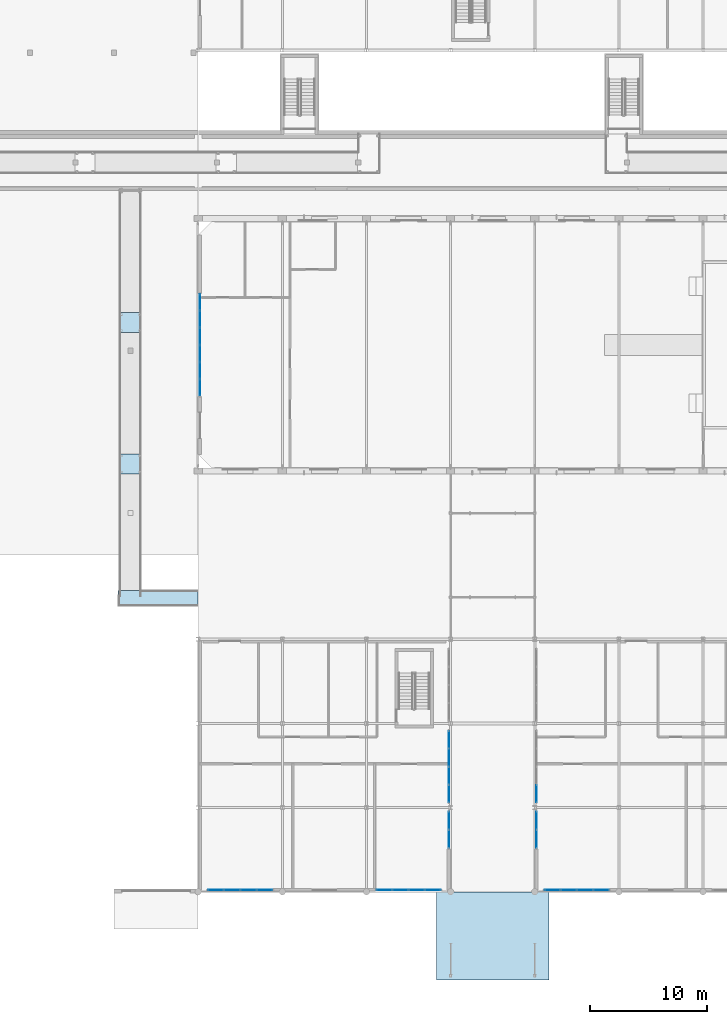
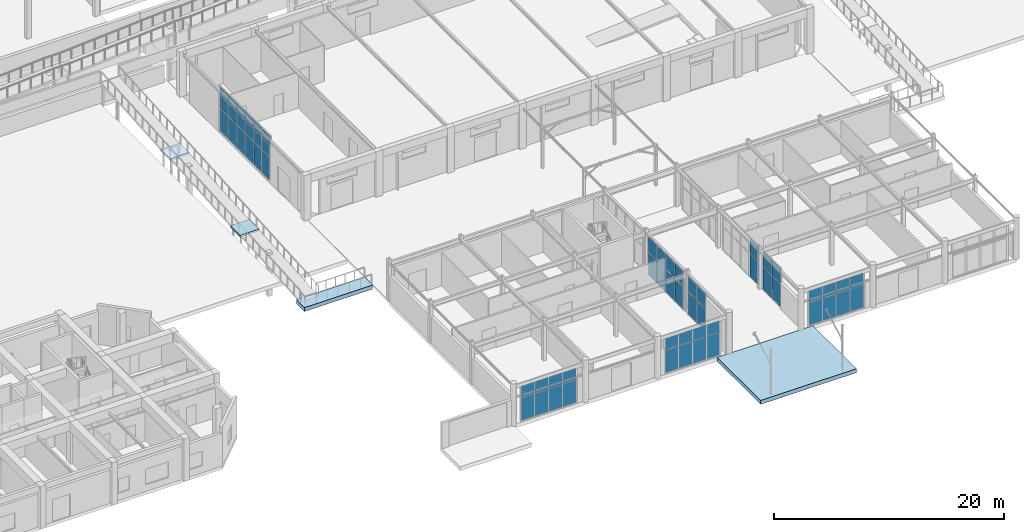
# One storey, part 33 of 85: 60 plates, 4 slabs, 9 elements without a shape of their own.
"""IFC4 building model written with IfcOpenShell, lengths in metres."""

from ifc_helpers import new_model, si_unit, direction, frame, origin, origin_2d, place, context, subcontext, project, spatial, polyline, rectangle, outline, extrude, material, layer, layer_set, type_object, element, aggregate, save


model = new_model("IFC4")

# Units and contexts
model_context = context("Model", 3, precision=1e-05, world=origin(), true_north=direction((0.0, 1.0)))
body_context = subcontext(model_context, "Body", "Model", "MODEL_VIEW")
ifc_project = project(units=[si_unit("LENGTHUNIT", "METRE"), si_unit("AREAUNIT", "SQUARE_METRE"), si_unit("VOLUMEUNIT", "CUBIC_METRE"), si_unit("PLANEANGLEUNIT", "RADIAN"), si_unit("MASSUNIT", "GRAM", prefix="KILO")], contexts=[model_context])

# Site, building, storey
site_placement = place(None, origin())
site = spatial("IfcSite", under=ifc_project, at=site_placement, CompositionType="ELEMENT")
building_placement = place(site_placement, origin())
building = spatial("IfcBuilding", under=site, at=building_placement, Name="Ochrevale Crest", CompositionType="ELEMENT")
storey_placement = place(building_placement, origin())
storey = spatial("IfcBuildingStorey", under=building, at=storey_placement, Name="L00", CompositionType="ELEMENT", Elevation=0.0)

# Curtain wall, plates
ifc_material_1 = material(Name="Anodised aluminium 6063-T5", Category="aluminium")
ifc_layer_1 = layer(ifc_material_1, 0.14990234375)
ifc_layer_set_1 = layer_set([ifc_layer_1], Name="Anodised aluminium 6063-T5")
curtain_wall_type_1 = type_object("IfcCurtainWallType", Name="CW-PAS-320x410", PredefinedType="NOTDEFINED", material=ifc_layer_set_1)
curtain_wall_1_placement = place(storey_placement, origin())
curtain_wall_1 = element("IfcCurtainWall", 1, at=curtain_wall_1_placement, inside=storey, type_object=curtain_wall_type_1, Name="Covered public passage W shopfront glazing 1", PredefinedType="NOTDEFINED")
ifc_material_2 = material(Name="Double-glazed low-E insulated glass unit", Category="glass")
ifc_layer_2 = layer(ifc_material_2, 0.028076171875)
ifc_layer_set_2 = layer_set([ifc_layer_2], Name="Double-glazed low-E insulated glass unit")
plate_type_1 = type_object("IfcPlateType", Name="CW-PNL-IGU28", PredefinedType="CURTAIN_PANEL", material=ifc_layer_set_2)
plate_1_placement = place(storey_placement, frame((79.050048828125, 11.71630859375, 0.06005859375), z_axis=(0.0, 0.0, 1.0), x_axis=(0.0, 1.0, 0.0)))
plate_1 = element("IfcPlate", 2, at=plate_1_placement, type_object=plate_type_1, Name="CW04 panel 1.1", PredefinedType="CURTAIN_PANEL", context=body_context, shape_type="SweptSolid", body=[
    extrude(rectangle(XDim=1.50244140625, YDim=0.028076171875, at=origin_2d()), origin(), (0.0, 0.0, 1.0), 2.409912109375),
])
plate_2_placement = place(storey_placement, frame((79.050048828125, 11.71630859375, 2.530029296875), z_axis=(0.0, 0.0, 1.0), x_axis=(0.0, 1.0, 0.0)))
plate_2 = element("IfcPlate", 3, at=plate_2_placement, type_object=plate_type_1, Name="CW04 panel 1.2", PredefinedType="CURTAIN_PANEL", context=body_context, shape_type="SweptSolid", body=[
    extrude(rectangle(XDim=1.50244140625, YDim=0.028076171875, at=origin_2d()), origin(), (0.0, 0.0, 1.0), 1.56005859375),
])
plate_3_placement = place(storey_placement, frame((79.050048828125, 13.28369140625, 0.06005859375), z_axis=(0.0, 0.0, 1.0), x_axis=(0.0, 1.0, 0.0)))
plate_3 = element("IfcPlate", 4, at=plate_3_placement, type_object=plate_type_1, Name="CW04 panel 2.1", PredefinedType="CURTAIN_PANEL", context=body_context, shape_type="SweptSolid", body=[
    extrude(rectangle(XDim=1.50244140625, YDim=0.028076171875, at=origin_2d()), origin(), (0.0, 0.0, 1.0), 2.409912109375),
])
plate_4_placement = place(storey_placement, frame((79.050048828125, 13.28369140625, 2.530029296875), z_axis=(0.0, 0.0, 1.0), x_axis=(0.0, 1.0, 0.0)))
plate_4 = element("IfcPlate", 5, at=plate_4_placement, type_object=plate_type_1, Name="CW04 panel 2.2", PredefinedType="CURTAIN_PANEL", context=body_context, shape_type="SweptSolid", body=[
    extrude(rectangle(XDim=1.50244140625, YDim=0.028076171875, at=origin_2d()), origin(), (0.0, 0.0, 1.0), 1.56005859375),
])
aggregate(curtain_wall_1, [plate_1, plate_2, plate_3, plate_4])

ifc_layer_3 = layer(ifc_material_1, 0.14990234375)
ifc_layer_set_3 = layer_set([ifc_layer_3], Name="Anodised aluminium 6063-T5")
curtain_wall_type_2 = type_object("IfcCurtainWallType", Name="CW-PAS-620x410", PredefinedType="NOTDEFINED", material=ifc_layer_set_3)
curtain_wall_2_placement = place(storey_placement, origin())
curtain_wall_2 = element("IfcCurtainWall", 6, at=curtain_wall_2_placement, inside=storey, type_object=curtain_wall_type_2, Name="Covered public passage W shopfront glazing 2", PredefinedType="NOTDEFINED")
plate_5_placement = place(storey_placement, frame((79.050048828125, 15.59130859375, 0.06005859375), z_axis=(0.0, 0.0, 1.0), x_axis=(0.0, 1.0, 0.0)))
plate_5 = element("IfcPlate", 7, at=plate_5_placement, type_object=plate_type_1, Name="CW05 panel 1.1", PredefinedType="CURTAIN_PANEL", context=body_context, shape_type="SweptSolid", body=[
    extrude(rectangle(XDim=1.452392578125, YDim=0.028076171875, at=origin_2d()), origin(), (0.0, 0.0, 1.0), 2.409912109375),
])
plate_6_placement = place(storey_placement, frame((79.050048828125, 15.59130859375, 2.530029296875), z_axis=(0.0, 0.0, 1.0), x_axis=(0.0, 1.0, 0.0)))
plate_6 = element("IfcPlate", 8, at=plate_6_placement, type_object=plate_type_1, Name="CW05 panel 1.2", PredefinedType="CURTAIN_PANEL", context=body_context, shape_type="SweptSolid", body=[
    extrude(rectangle(XDim=1.452392578125, YDim=0.028076171875, at=origin_2d()), origin(), (0.0, 0.0, 1.0), 1.56005859375),
])
plate_7_placement = place(storey_placement, frame((79.050048828125, 17.125, 0.06005859375), z_axis=(0.0, 0.0, 1.0), x_axis=(0.0, 1.0, 0.0)))
plate_7 = element("IfcPlate", 9, at=plate_7_placement, type_object=plate_type_1, Name="CW05 panel 2.1", PredefinedType="CURTAIN_PANEL", context=body_context, shape_type="SweptSolid", body=[
    extrude(rectangle(XDim=1.485107421875, YDim=0.028076171875, at=origin_2d()), origin(), (0.0, 0.0, 1.0), 2.409912109375),
])
plate_8_placement = place(storey_placement, frame((79.050048828125, 17.125, 2.530029296875), z_axis=(0.0, 0.0, 1.0), x_axis=(0.0, 1.0, 0.0)))
plate_8 = element("IfcPlate", 10, at=plate_8_placement, type_object=plate_type_1, Name="CW05 panel 2.2", PredefinedType="CURTAIN_PANEL", context=body_context, shape_type="SweptSolid", body=[
    extrude(rectangle(XDim=1.485107421875, YDim=0.028076171875, at=origin_2d()), origin(), (0.0, 0.0, 1.0), 1.56005859375),
])
plate_9_placement = place(storey_placement, frame((79.050048828125, 18.675048828125, 0.06005859375), z_axis=(0.0, 0.0, 1.0), x_axis=(0.0, 1.0, 0.0)))
plate_9 = element("IfcPlate", 11, at=plate_9_placement, type_object=plate_type_1, Name="CW05 panel 3.1", PredefinedType="CURTAIN_PANEL", context=body_context, shape_type="SweptSolid", body=[
    extrude(rectangle(XDim=1.485107421875, YDim=0.028076171875, at=origin_2d()), origin(), (0.0, 0.0, 1.0), 2.409912109375),
])
plate_10_placement = place(storey_placement, frame((79.050048828125, 18.675048828125, 2.530029296875), z_axis=(0.0, 0.0, 1.0), x_axis=(0.0, 1.0, 0.0)))
plate_10 = element("IfcPlate", 12, at=plate_10_placement, type_object=plate_type_1, Name="CW05 panel 3.2", PredefinedType="CURTAIN_PANEL", context=body_context, shape_type="SweptSolid", body=[
    extrude(rectangle(XDim=1.485107421875, YDim=0.028076171875, at=origin_2d()), origin(), (0.0, 0.0, 1.0), 1.56005859375),
])
plate_11_placement = place(storey_placement, frame((79.050048828125, 20.208740234375, 0.06005859375), z_axis=(0.0, 0.0, 1.0), x_axis=(0.0, 1.0, 0.0)))
plate_11 = element("IfcPlate", 13, at=plate_11_placement, type_object=plate_type_1, Name="CW05 panel 4.1", PredefinedType="CURTAIN_PANEL", context=body_context, shape_type="SweptSolid", body=[
    extrude(rectangle(XDim=1.452392578125, YDim=0.028076171875, at=origin_2d()), origin(), (0.0, 0.0, 1.0), 2.409912109375),
])
plate_12_placement = place(storey_placement, frame((79.050048828125, 20.208740234375, 2.530029296875), z_axis=(0.0, 0.0, 1.0), x_axis=(0.0, 1.0, 0.0)))
plate_12 = element("IfcPlate", 14, at=plate_12_placement, type_object=plate_type_1, Name="CW05 panel 4.2", PredefinedType="CURTAIN_PANEL", context=body_context, shape_type="SweptSolid", body=[
    extrude(rectangle(XDim=1.452392578125, YDim=0.028076171875, at=origin_2d()), origin(), (0.0, 0.0, 1.0), 1.56005859375),
])
aggregate(curtain_wall_2, [plate_5, plate_6, plate_7, plate_8, plate_9, plate_10, plate_11, plate_12])

curtain_wall_3_placement = place(storey_placement, origin())
curtain_wall_3 = element("IfcCurtainWall", 15, at=curtain_wall_3_placement, inside=storey, type_object=curtain_wall_type_1, Name="Covered public passage E shopfront glazing 1", PredefinedType="NOTDEFINED")
plate_13_placement = place(storey_placement, frame((86.550048828125, 11.71630859375, 0.06005859375), z_axis=(0.0, 0.0, 1.0), x_axis=(0.0, 1.0, 0.0)))
plate_13 = element("IfcPlate", 16, at=plate_13_placement, type_object=plate_type_1, Name="CW04 panel 1.1", PredefinedType="CURTAIN_PANEL", context=body_context, shape_type="SweptSolid", body=[
    extrude(rectangle(XDim=1.50244140625, YDim=0.028076171875, at=origin_2d()), origin(), (0.0, 0.0, 1.0), 2.409912109375),
])
plate_14_placement = place(storey_placement, frame((86.550048828125, 11.71630859375, 2.530029296875), z_axis=(0.0, 0.0, 1.0), x_axis=(0.0, 1.0, 0.0)))
plate_14 = element("IfcPlate", 17, at=plate_14_placement, type_object=plate_type_1, Name="CW04 panel 1.2", PredefinedType="CURTAIN_PANEL", context=body_context, shape_type="SweptSolid", body=[
    extrude(rectangle(XDim=1.50244140625, YDim=0.028076171875, at=origin_2d()), origin(), (0.0, 0.0, 1.0), 1.56005859375),
])
plate_15_placement = place(storey_placement, frame((86.550048828125, 13.28369140625, 0.06005859375), z_axis=(0.0, 0.0, 1.0), x_axis=(0.0, 1.0, 0.0)))
plate_15 = element("IfcPlate", 18, at=plate_15_placement, type_object=plate_type_1, Name="CW04 panel 2.1", PredefinedType="CURTAIN_PANEL", context=body_context, shape_type="SweptSolid", body=[
    extrude(rectangle(XDim=1.50244140625, YDim=0.028076171875, at=origin_2d()), origin(), (0.0, 0.0, 1.0), 2.409912109375),
])
plate_16_placement = place(storey_placement, frame((86.550048828125, 13.28369140625, 2.530029296875), z_axis=(0.0, 0.0, 1.0), x_axis=(0.0, 1.0, 0.0)))
plate_16 = element("IfcPlate", 19, at=plate_16_placement, type_object=plate_type_1, Name="CW04 panel 2.2", PredefinedType="CURTAIN_PANEL", context=body_context, shape_type="SweptSolid", body=[
    extrude(rectangle(XDim=1.50244140625, YDim=0.028076171875, at=origin_2d()), origin(), (0.0, 0.0, 1.0), 1.56005859375),
])
aggregate(curtain_wall_3, [plate_13, plate_14, plate_15, plate_16])

curtain_wall_4_placement = place(storey_placement, origin())
curtain_wall_4 = element("IfcCurtainWall", 20, at=curtain_wall_4_placement, inside=storey, type_object=curtain_wall_type_2, Name="Covered public passage E shopfront glazing 2", PredefinedType="NOTDEFINED")
plate_17_placement = place(storey_placement, frame((86.550048828125, 15.59130859375, 0.06005859375), z_axis=(0.0, 0.0, 1.0), x_axis=(0.0, 1.0, 0.0)))
plate_17 = element("IfcPlate", 21, at=plate_17_placement, type_object=plate_type_1, Name="CW05 panel 1.1", PredefinedType="CURTAIN_PANEL", context=body_context, shape_type="SweptSolid", body=[
    extrude(rectangle(XDim=1.452392578125, YDim=0.028076171875, at=origin_2d()), origin(), (0.0, 0.0, 1.0), 2.409912109375),
])
plate_18_placement = place(storey_placement, frame((86.550048828125, 15.59130859375, 2.530029296875), z_axis=(0.0, 0.0, 1.0), x_axis=(0.0, 1.0, 0.0)))
plate_18 = element("IfcPlate", 22, at=plate_18_placement, type_object=plate_type_1, Name="CW05 panel 1.2", PredefinedType="CURTAIN_PANEL", context=body_context, shape_type="SweptSolid", body=[
    extrude(rectangle(XDim=1.452392578125, YDim=0.028076171875, at=origin_2d()), origin(), (0.0, 0.0, 1.0), 1.56005859375),
])
aggregate(curtain_wall_4, [plate_17, plate_18])

ifc_layer_4 = layer(ifc_material_1, 0.14990234375)
ifc_layer_set_4 = layer_set([ifc_layer_4], Name="Anodised aluminium 6063-T5")
curtain_wall_type_3 = type_object("IfcCurtainWallType", Name="CW-HALL-600x430", PredefinedType="NOTDEFINED", material=ifc_layer_set_4)
curtain_wall_5_placement = place(storey_placement, origin())
curtain_wall_5 = element("IfcCurtainWall", 23, at=curtain_wall_5_placement, inside=storey, type_object=curtain_wall_type_3, Name="Community Hall west grand foyer curtain wall", PredefinedType="NOTDEFINED")
ifc_material_3 = material(Name="Acoustic laminated low-E insulated glass unit", Category="glass")
ifc_layer_5 = layer(ifc_material_3, 0.0380859375)
ifc_layer_set_5 = layer_set([ifc_layer_5], Name="Acoustic laminated low-E insulated glass unit")
plate_type_2 = type_object("IfcPlateType", Name="CW-PNL-IGU38", PredefinedType="CURTAIN_PANEL", material=ifc_layer_set_5)
plate_19_placement = place(storey_placement, frame((57.75, 50.35205078125, 0.06494140625), z_axis=(0.0, 0.0, 1.0), x_axis=(0.0, 1.0, 0.0)))
plate_19 = element("IfcPlate", 24, at=plate_19_placement, type_object=plate_type_2, Name="CW08 panel 1.1", PredefinedType="CURTAIN_PANEL", context=body_context, shape_type="SweptSolid", body=[
    extrude(rectangle(XDim=1.354248046875, YDim=0.0380859375, at=origin_2d()), origin(), (0.0, 0.0, 1.0), 2.402587890625),
])
plate_20_placement = place(storey_placement, frame((57.75, 50.35205078125, 2.53271484375), z_axis=(0.0, 0.0, 1.0), x_axis=(0.0, 1.0, 0.0)))
plate_20 = element("IfcPlate", 25, at=plate_20_placement, type_object=plate_type_2, Name="CW08 panel 1.2", PredefinedType="CURTAIN_PANEL", context=body_context, shape_type="SweptSolid", body=[
    extrude(rectangle(XDim=1.354248046875, YDim=0.0380859375, at=origin_2d()), origin(), (0.0, 0.0, 1.0), 1.284912109375),
])
plate_21_placement = place(storey_placement, frame((57.75, 50.35205078125, 3.882568359375), z_axis=(0.0, 0.0, 1.0), x_axis=(0.0, 1.0, 0.0)))
plate_21 = element("IfcPlate", 26, at=plate_21_placement, type_object=plate_type_2, Name="CW08 panel 1.3", PredefinedType="CURTAIN_PANEL", context=body_context, shape_type="SweptSolid", body=[
    extrude(rectangle(XDim=1.354248046875, YDim=0.0380859375, at=origin_2d()), origin(), (0.0, 0.0, 1.0), 0.8525390625),
])
plate_22_placement = place(storey_placement, frame((57.75, 51.800048828125, 0.06494140625), z_axis=(0.0, 0.0, 1.0), x_axis=(0.0, 1.0, 0.0)))
plate_22 = element("IfcPlate", 27, at=plate_22_placement, type_object=plate_type_2, Name="CW08 panel 2.1", PredefinedType="CURTAIN_PANEL", context=body_context, shape_type="SweptSolid", body=[
    extrude(rectangle(XDim=1.3916015625, YDim=0.0380859375, at=origin_2d()), origin(), (0.0, 0.0, 1.0), 2.402587890625),
])
plate_23_placement = place(storey_placement, frame((57.75, 51.800048828125, 2.53271484375), z_axis=(0.0, 0.0, 1.0), x_axis=(0.0, 1.0, 0.0)))
plate_23 = element("IfcPlate", 28, at=plate_23_placement, type_object=plate_type_2, Name="CW08 panel 2.2", PredefinedType="CURTAIN_PANEL", context=body_context, shape_type="SweptSolid", body=[
    extrude(rectangle(XDim=1.3916015625, YDim=0.0380859375, at=origin_2d()), origin(), (0.0, 0.0, 1.0), 1.284912109375),
])
plate_24_placement = place(storey_placement, frame((57.75, 51.800048828125, 3.882568359375), z_axis=(0.0, 0.0, 1.0), x_axis=(0.0, 1.0, 0.0)))
plate_24 = element("IfcPlate", 29, at=plate_24_placement, type_object=plate_type_2, Name="CW08 panel 2.3", PredefinedType="CURTAIN_PANEL", context=body_context, shape_type="SweptSolid", body=[
    extrude(rectangle(XDim=1.3916015625, YDim=0.0380859375, at=origin_2d()), origin(), (0.0, 0.0, 1.0), 0.8525390625),
])
plate_25_placement = place(storey_placement, frame((57.75, 53.2666015625, 0.06494140625), z_axis=(0.0, 0.0, 1.0), x_axis=(0.0, 1.0, 0.0)))
plate_25 = element("IfcPlate", 30, at=plate_25_placement, type_object=plate_type_2, Name="CW08 panel 3.1", PredefinedType="CURTAIN_PANEL", context=body_context, shape_type="SweptSolid", body=[
    extrude(rectangle(XDim=1.3916015625, YDim=0.0380859375, at=origin_2d()), origin(), (0.0, 0.0, 1.0), 2.402587890625),
])
plate_26_placement = place(storey_placement, frame((57.75, 53.2666015625, 2.53271484375), z_axis=(0.0, 0.0, 1.0), x_axis=(0.0, 1.0, 0.0)))
plate_26 = element("IfcPlate", 31, at=plate_26_placement, type_object=plate_type_2, Name="CW08 panel 3.2", PredefinedType="CURTAIN_PANEL", context=body_context, shape_type="SweptSolid", body=[
    extrude(rectangle(XDim=1.3916015625, YDim=0.0380859375, at=origin_2d()), origin(), (0.0, 0.0, 1.0), 1.284912109375),
])
plate_27_placement = place(storey_placement, frame((57.75, 53.2666015625, 3.882568359375), z_axis=(0.0, 0.0, 1.0), x_axis=(0.0, 1.0, 0.0)))
plate_27 = element("IfcPlate", 32, at=plate_27_placement, type_object=plate_type_2, Name="CW08 panel 3.3", PredefinedType="CURTAIN_PANEL", context=body_context, shape_type="SweptSolid", body=[
    extrude(rectangle(XDim=1.3916015625, YDim=0.0380859375, at=origin_2d()), origin(), (0.0, 0.0, 1.0), 0.8525390625),
])
plate_28_placement = place(storey_placement, frame((57.75, 54.7333984375, 0.06494140625), z_axis=(0.0, 0.0, 1.0), x_axis=(0.0, 1.0, 0.0)))
plate_28 = element("IfcPlate", 33, at=plate_28_placement, type_object=plate_type_2, Name="CW08 panel 4.1", PredefinedType="CURTAIN_PANEL", context=body_context, shape_type="SweptSolid", body=[
    extrude(rectangle(XDim=1.3916015625, YDim=0.0380859375, at=origin_2d()), origin(), (0.0, 0.0, 1.0), 2.402587890625),
])
plate_29_placement = place(storey_placement, frame((57.75, 54.7333984375, 2.53271484375), z_axis=(0.0, 0.0, 1.0), x_axis=(0.0, 1.0, 0.0)))
plate_29 = element("IfcPlate", 34, at=plate_29_placement, type_object=plate_type_2, Name="CW08 panel 4.2", PredefinedType="CURTAIN_PANEL", context=body_context, shape_type="SweptSolid", body=[
    extrude(rectangle(XDim=1.3916015625, YDim=0.0380859375, at=origin_2d()), origin(), (0.0, 0.0, 1.0), 1.284912109375),
])
plate_30_placement = place(storey_placement, frame((57.75, 54.7333984375, 3.882568359375), z_axis=(0.0, 0.0, 1.0), x_axis=(0.0, 1.0, 0.0)))
plate_30 = element("IfcPlate", 35, at=plate_30_placement, type_object=plate_type_2, Name="CW08 panel 4.3", PredefinedType="CURTAIN_PANEL", context=body_context, shape_type="SweptSolid", body=[
    extrude(rectangle(XDim=1.3916015625, YDim=0.0380859375, at=origin_2d()), origin(), (0.0, 0.0, 1.0), 0.8525390625),
])
plate_31_placement = place(storey_placement, frame((57.75, 56.199951171875, 0.06494140625), z_axis=(0.0, 0.0, 1.0), x_axis=(0.0, 1.0, 0.0)))
plate_31 = element("IfcPlate", 36, at=plate_31_placement, type_object=plate_type_2, Name="CW08 panel 5.1", PredefinedType="CURTAIN_PANEL", context=body_context, shape_type="SweptSolid", body=[
    extrude(rectangle(XDim=1.3916015625, YDim=0.0380859375, at=origin_2d()), origin(), (0.0, 0.0, 1.0), 2.402587890625),
])
plate_32_placement = place(storey_placement, frame((57.75, 56.199951171875, 2.53271484375), z_axis=(0.0, 0.0, 1.0), x_axis=(0.0, 1.0, 0.0)))
plate_32 = element("IfcPlate", 37, at=plate_32_placement, type_object=plate_type_2, Name="CW08 panel 5.2", PredefinedType="CURTAIN_PANEL", context=body_context, shape_type="SweptSolid", body=[
    extrude(rectangle(XDim=1.3916015625, YDim=0.0380859375, at=origin_2d()), origin(), (0.0, 0.0, 1.0), 1.284912109375),
])
plate_33_placement = place(storey_placement, frame((57.75, 56.199951171875, 3.882568359375), z_axis=(0.0, 0.0, 1.0), x_axis=(0.0, 1.0, 0.0)))
plate_33 = element("IfcPlate", 38, at=plate_33_placement, type_object=plate_type_2, Name="CW08 panel 5.3", PredefinedType="CURTAIN_PANEL", context=body_context, shape_type="SweptSolid", body=[
    extrude(rectangle(XDim=1.3916015625, YDim=0.0380859375, at=origin_2d()), origin(), (0.0, 0.0, 1.0), 0.8525390625),
])
plate_34_placement = place(storey_placement, frame((57.75, 57.64794921875, 0.06494140625), z_axis=(0.0, 0.0, 1.0), x_axis=(0.0, 1.0, 0.0)))
plate_34 = element("IfcPlate", 39, at=plate_34_placement, type_object=plate_type_2, Name="CW08 panel 6.1", PredefinedType="CURTAIN_PANEL", context=body_context, shape_type="SweptSolid", body=[
    extrude(rectangle(XDim=1.354248046875, YDim=0.0380859375, at=origin_2d()), origin(), (0.0, 0.0, 1.0), 2.402587890625),
])
plate_35_placement = place(storey_placement, frame((57.75, 57.64794921875, 2.53271484375), z_axis=(0.0, 0.0, 1.0), x_axis=(0.0, 1.0, 0.0)))
plate_35 = element("IfcPlate", 40, at=plate_35_placement, type_object=plate_type_2, Name="CW08 panel 6.2", PredefinedType="CURTAIN_PANEL", context=body_context, shape_type="SweptSolid", body=[
    extrude(rectangle(XDim=1.354248046875, YDim=0.0380859375, at=origin_2d()), origin(), (0.0, 0.0, 1.0), 1.284912109375),
])
plate_36_placement = place(storey_placement, frame((57.75, 57.64794921875, 3.882568359375), z_axis=(0.0, 0.0, 1.0), x_axis=(0.0, 1.0, 0.0)))
plate_36 = element("IfcPlate", 41, at=plate_36_placement, type_object=plate_type_2, Name="CW08 panel 6.3", PredefinedType="CURTAIN_PANEL", context=body_context, shape_type="SweptSolid", body=[
    extrude(rectangle(XDim=1.354248046875, YDim=0.0380859375, at=origin_2d()), origin(), (0.0, 0.0, 1.0), 0.8525390625),
])
aggregate(curtain_wall_5, [plate_19, plate_20, plate_21, plate_22, plate_23, plate_24, plate_25, plate_26, plate_27, plate_28, plate_29, plate_30, plate_31, plate_32, plate_33, plate_34, plate_35, plate_36])

ifc_layer_6 = layer(ifc_material_1, 0.14990234375)
ifc_layer_set_6 = layer_set([ifc_layer_6], Name="Anodised aluminium 6063-T5")
curtain_wall_type_4 = type_object("IfcCurtainWallType", Name="CW-SF-560x415", PredefinedType="NOTDEFINED", material=ifc_layer_set_6)
curtain_wall_6_placement = place(storey_placement, origin())
curtain_wall_6 = element("IfcCurtainWall", 42, at=curtain_wall_6_placement, inside=storey, type_object=curtain_wall_type_4, Name="Boulevard W wing shopfront curtain wall 1", PredefinedType="NOTDEFINED")
plate_37_placement = place(storey_placement, frame((59.1162109375, 7.35009765625, 0.06005859375), z_axis=(0.0, 0.0, 1.0), x_axis=(1.0, 0.0, 0.0)))
plate_37 = element("IfcPlate", 43, at=plate_37_placement, type_object=plate_type_2, Name="CW02 panel 1.1", PredefinedType="CURTAIN_PANEL", context=body_context, shape_type="SweptSolid", body=[
    extrude(rectangle(XDim=1.302490234375, YDim=0.0380859375, at=origin_2d()), origin(), (0.0, 0.0, 1.0), 2.360107421875),
])
plate_38_placement = place(storey_placement, frame((59.1162109375, 7.35009765625, 2.47998046875), z_axis=(0.0, 0.0, 1.0), x_axis=(1.0, 0.0, 0.0)))
plate_38 = element("IfcPlate", 44, at=plate_38_placement, type_object=plate_type_2, Name="CW02 panel 1.2", PredefinedType="CURTAIN_PANEL", context=body_context, shape_type="SweptSolid", body=[
    extrude(rectangle(XDim=1.302490234375, YDim=0.0380859375, at=origin_2d()), origin(), (0.0, 0.0, 1.0), 1.2099609375),
])
plate_39_placement = place(storey_placement, frame((60.5, 7.35009765625, 0.06005859375), z_axis=(0.0, 0.0, 1.0), x_axis=(1.0, 0.0, 0.0)))
plate_39 = element("IfcPlate", 45, at=plate_39_placement, type_object=plate_type_2, Name="CW02 panel 2.1", PredefinedType="CURTAIN_PANEL", context=body_context, shape_type="SweptSolid", body=[
    extrude(rectangle(XDim=1.3349609375, YDim=0.0380859375, at=origin_2d()), origin(), (0.0, 0.0, 1.0), 2.360107421875),
])
plate_40_placement = place(storey_placement, frame((60.5, 7.35009765625, 2.47998046875), z_axis=(0.0, 0.0, 1.0), x_axis=(1.0, 0.0, 0.0)))
plate_40 = element("IfcPlate", 46, at=plate_40_placement, type_object=plate_type_2, Name="CW02 panel 2.2", PredefinedType="CURTAIN_PANEL", context=body_context, shape_type="SweptSolid", body=[
    extrude(rectangle(XDim=1.3349609375, YDim=0.0380859375, at=origin_2d()), origin(), (0.0, 0.0, 1.0), 1.2099609375),
])
plate_41_placement = place(storey_placement, frame((61.89990234375, 7.35009765625, 0.06005859375), z_axis=(0.0, 0.0, 1.0), x_axis=(1.0, 0.0, 0.0)))
plate_41 = element("IfcPlate", 47, at=plate_41_placement, type_object=plate_type_2, Name="CW02 panel 3.1", PredefinedType="CURTAIN_PANEL", context=body_context, shape_type="SweptSolid", body=[
    extrude(rectangle(XDim=1.3349609375, YDim=0.0380859375, at=origin_2d()), origin(), (0.0, 0.0, 1.0), 2.360107421875),
])
plate_42_placement = place(storey_placement, frame((61.89990234375, 7.35009765625, 2.47998046875), z_axis=(0.0, 0.0, 1.0), x_axis=(1.0, 0.0, 0.0)))
plate_42 = element("IfcPlate", 48, at=plate_42_placement, type_object=plate_type_2, Name="CW02 panel 3.2", PredefinedType="CURTAIN_PANEL", context=body_context, shape_type="SweptSolid", body=[
    extrude(rectangle(XDim=1.3349609375, YDim=0.0380859375, at=origin_2d()), origin(), (0.0, 0.0, 1.0), 1.2099609375),
])
plate_43_placement = place(storey_placement, frame((63.28369140625, 7.35009765625, 0.06005859375), z_axis=(0.0, 0.0, 1.0), x_axis=(1.0, 0.0, 0.0)))
plate_43 = element("IfcPlate", 49, at=plate_43_placement, type_object=plate_type_2, Name="CW02 panel 4.1", PredefinedType="CURTAIN_PANEL", context=body_context, shape_type="SweptSolid", body=[
    extrude(rectangle(XDim=1.302490234375, YDim=0.0380859375, at=origin_2d()), origin(), (0.0, 0.0, 1.0), 2.360107421875),
])
plate_44_placement = place(storey_placement, frame((63.28369140625, 7.35009765625, 2.47998046875), z_axis=(0.0, 0.0, 1.0), x_axis=(1.0, 0.0, 0.0)))
plate_44 = element("IfcPlate", 50, at=plate_44_placement, type_object=plate_type_2, Name="CW02 panel 4.2", PredefinedType="CURTAIN_PANEL", context=body_context, shape_type="SweptSolid", body=[
    extrude(rectangle(XDim=1.302490234375, YDim=0.0380859375, at=origin_2d()), origin(), (0.0, 0.0, 1.0), 1.2099609375),
])
aggregate(curtain_wall_6, [plate_37, plate_38, plate_39, plate_40, plate_41, plate_42, plate_43, plate_44])

curtain_wall_7_placement = place(storey_placement, origin())
curtain_wall_7 = element("IfcCurtainWall", 51, at=curtain_wall_7_placement, inside=storey, type_object=curtain_wall_type_4, Name="Boulevard W wing shopfront curtain wall 2", PredefinedType="NOTDEFINED")
plate_45_placement = place(storey_placement, frame((73.516357421875, 7.35009765625, 0.06005859375), z_axis=(0.0, 0.0, 1.0), x_axis=(1.0, 0.0, 0.0)))
plate_45 = element("IfcPlate", 52, at=plate_45_placement, type_object=plate_type_2, Name="CW02 panel 1.1", PredefinedType="CURTAIN_PANEL", context=body_context, shape_type="SweptSolid", body=[
    extrude(rectangle(XDim=1.302490234375, YDim=0.0380859375, at=origin_2d()), origin(), (0.0, 0.0, 1.0), 2.360107421875),
])
plate_46_placement = place(storey_placement, frame((73.516357421875, 7.35009765625, 2.47998046875), z_axis=(0.0, 0.0, 1.0), x_axis=(1.0, 0.0, 0.0)))
plate_46 = element("IfcPlate", 53, at=plate_46_placement, type_object=plate_type_2, Name="CW02 panel 1.2", PredefinedType="CURTAIN_PANEL", context=body_context, shape_type="SweptSolid", body=[
    extrude(rectangle(XDim=1.302490234375, YDim=0.0380859375, at=origin_2d()), origin(), (0.0, 0.0, 1.0), 1.2099609375),
])
plate_47_placement = place(storey_placement, frame((74.89990234375, 7.35009765625, 0.06005859375), z_axis=(0.0, 0.0, 1.0), x_axis=(1.0, 0.0, 0.0)))
plate_47 = element("IfcPlate", 54, at=plate_47_placement, type_object=plate_type_2, Name="CW02 panel 2.1", PredefinedType="CURTAIN_PANEL", context=body_context, shape_type="SweptSolid", body=[
    extrude(rectangle(XDim=1.3349609375, YDim=0.0380859375, at=origin_2d()), origin(), (0.0, 0.0, 1.0), 2.360107421875),
])
plate_48_placement = place(storey_placement, frame((74.89990234375, 7.35009765625, 2.47998046875), z_axis=(0.0, 0.0, 1.0), x_axis=(1.0, 0.0, 0.0)))
plate_48 = element("IfcPlate", 55, at=plate_48_placement, type_object=plate_type_2, Name="CW02 panel 2.2", PredefinedType="CURTAIN_PANEL", context=body_context, shape_type="SweptSolid", body=[
    extrude(rectangle(XDim=1.3349609375, YDim=0.0380859375, at=origin_2d()), origin(), (0.0, 0.0, 1.0), 1.2099609375),
])
plate_49_placement = place(storey_placement, frame((76.300048828125, 7.35009765625, 0.06005859375), z_axis=(0.0, 0.0, 1.0), x_axis=(1.0, 0.0, 0.0)))
plate_49 = element("IfcPlate", 56, at=plate_49_placement, type_object=plate_type_2, Name="CW02 panel 3.1", PredefinedType="CURTAIN_PANEL", context=body_context, shape_type="SweptSolid", body=[
    extrude(rectangle(XDim=1.3349609375, YDim=0.0380859375, at=origin_2d()), origin(), (0.0, 0.0, 1.0), 2.360107421875),
])
plate_50_placement = place(storey_placement, frame((76.300048828125, 7.35009765625, 2.47998046875), z_axis=(0.0, 0.0, 1.0), x_axis=(1.0, 0.0, 0.0)))
plate_50 = element("IfcPlate", 57, at=plate_50_placement, type_object=plate_type_2, Name="CW02 panel 3.2", PredefinedType="CURTAIN_PANEL", context=body_context, shape_type="SweptSolid", body=[
    extrude(rectangle(XDim=1.3349609375, YDim=0.0380859375, at=origin_2d()), origin(), (0.0, 0.0, 1.0), 1.2099609375),
])
plate_51_placement = place(storey_placement, frame((77.683837890625, 7.35009765625, 0.06005859375), z_axis=(0.0, 0.0, 1.0), x_axis=(1.0, 0.0, 0.0)))
plate_51 = element("IfcPlate", 58, at=plate_51_placement, type_object=plate_type_2, Name="CW02 panel 4.1", PredefinedType="CURTAIN_PANEL", context=body_context, shape_type="SweptSolid", body=[
    extrude(rectangle(XDim=1.302490234375, YDim=0.0380859375, at=origin_2d()), origin(), (0.0, 0.0, 1.0), 2.360107421875),
])
plate_52_placement = place(storey_placement, frame((77.683837890625, 7.35009765625, 2.47998046875), z_axis=(0.0, 0.0, 1.0), x_axis=(1.0, 0.0, 0.0)))
plate_52 = element("IfcPlate", 59, at=plate_52_placement, type_object=plate_type_2, Name="CW02 panel 4.2", PredefinedType="CURTAIN_PANEL", context=body_context, shape_type="SweptSolid", body=[
    extrude(rectangle(XDim=1.302490234375, YDim=0.0380859375, at=origin_2d()), origin(), (0.0, 0.0, 1.0), 1.2099609375),
])
aggregate(curtain_wall_7, [plate_45, plate_46, plate_47, plate_48, plate_49, plate_50, plate_51, plate_52])

curtain_wall_8_placement = place(storey_placement, origin())
curtain_wall_8 = element("IfcCurtainWall", 60, at=curtain_wall_8_placement, inside=storey, type_object=curtain_wall_type_4, Name="Boulevard E wing shopfront curtain wall 1", PredefinedType="NOTDEFINED")
plate_53_placement = place(storey_placement, frame((87.916259765625, 7.35009765625, 0.06005859375), z_axis=(0.0, 0.0, 1.0), x_axis=(1.0, 0.0, 0.0)))
plate_53 = element("IfcPlate", 61, at=plate_53_placement, type_object=plate_type_2, Name="CW02 panel 1.1", PredefinedType="CURTAIN_PANEL", context=body_context, shape_type="SweptSolid", body=[
    extrude(rectangle(XDim=1.302490234375, YDim=0.0380859375, at=origin_2d()), origin(), (0.0, 0.0, 1.0), 2.360107421875),
])
plate_54_placement = place(storey_placement, frame((87.916259765625, 7.35009765625, 2.47998046875), z_axis=(0.0, 0.0, 1.0), x_axis=(1.0, 0.0, 0.0)))
plate_54 = element("IfcPlate", 62, at=plate_54_placement, type_object=plate_type_2, Name="CW02 panel 1.2", PredefinedType="CURTAIN_PANEL", context=body_context, shape_type="SweptSolid", body=[
    extrude(rectangle(XDim=1.302490234375, YDim=0.0380859375, at=origin_2d()), origin(), (0.0, 0.0, 1.0), 1.2099609375),
])
plate_55_placement = place(storey_placement, frame((89.300048828125, 7.35009765625, 0.06005859375), z_axis=(0.0, 0.0, 1.0), x_axis=(1.0, 0.0, 0.0)))
plate_55 = element("IfcPlate", 63, at=plate_55_placement, type_object=plate_type_2, Name="CW02 panel 2.1", PredefinedType="CURTAIN_PANEL", context=body_context, shape_type="SweptSolid", body=[
    extrude(rectangle(XDim=1.3349609375, YDim=0.0380859375, at=origin_2d()), origin(), (0.0, 0.0, 1.0), 2.360107421875),
])
plate_56_placement = place(storey_placement, frame((89.300048828125, 7.35009765625, 2.47998046875), z_axis=(0.0, 0.0, 1.0), x_axis=(1.0, 0.0, 0.0)))
plate_56 = element("IfcPlate", 64, at=plate_56_placement, type_object=plate_type_2, Name="CW02 panel 2.2", PredefinedType="CURTAIN_PANEL", context=body_context, shape_type="SweptSolid", body=[
    extrude(rectangle(XDim=1.3349609375, YDim=0.0380859375, at=origin_2d()), origin(), (0.0, 0.0, 1.0), 1.2099609375),
])
plate_57_placement = place(storey_placement, frame((90.699951171875, 7.35009765625, 0.06005859375), z_axis=(0.0, 0.0, 1.0), x_axis=(1.0, 0.0, 0.0)))
plate_57 = element("IfcPlate", 65, at=plate_57_placement, type_object=plate_type_2, Name="CW02 panel 3.1", PredefinedType="CURTAIN_PANEL", context=body_context, shape_type="SweptSolid", body=[
    extrude(rectangle(XDim=1.3349609375, YDim=0.0380859375, at=origin_2d()), origin(), (0.0, 0.0, 1.0), 2.360107421875),
])
plate_58_placement = place(storey_placement, frame((90.699951171875, 7.35009765625, 2.47998046875), z_axis=(0.0, 0.0, 1.0), x_axis=(1.0, 0.0, 0.0)))
plate_58 = element("IfcPlate", 66, at=plate_58_placement, type_object=plate_type_2, Name="CW02 panel 3.2", PredefinedType="CURTAIN_PANEL", context=body_context, shape_type="SweptSolid", body=[
    extrude(rectangle(XDim=1.3349609375, YDim=0.0380859375, at=origin_2d()), origin(), (0.0, 0.0, 1.0), 1.2099609375),
])
plate_59_placement = place(storey_placement, frame((92.083740234375, 7.35009765625, 0.06005859375), z_axis=(0.0, 0.0, 1.0), x_axis=(1.0, 0.0, 0.0)))
plate_59 = element("IfcPlate", 67, at=plate_59_placement, type_object=plate_type_2, Name="CW02 panel 4.1", PredefinedType="CURTAIN_PANEL", context=body_context, shape_type="SweptSolid", body=[
    extrude(rectangle(XDim=1.302490234375, YDim=0.0380859375, at=origin_2d()), origin(), (0.0, 0.0, 1.0), 2.360107421875),
])
plate_60_placement = place(storey_placement, frame((92.083740234375, 7.35009765625, 2.47998046875), z_axis=(0.0, 0.0, 1.0), x_axis=(1.0, 0.0, 0.0)))
plate_60 = element("IfcPlate", 68, at=plate_60_placement, type_object=plate_type_2, Name="CW02 panel 4.2", PredefinedType="CURTAIN_PANEL", context=body_context, shape_type="SweptSolid", body=[
    extrude(rectangle(XDim=1.302490234375, YDim=0.0380859375, at=origin_2d()), origin(), (0.0, 0.0, 1.0), 1.2099609375),
])
aggregate(curtain_wall_8, [plate_53, plate_54, plate_55, plate_56, plate_57, plate_58, plate_59, plate_60])

# Ramp, slabs
ifc_material_4 = material(Name="Concrete C40/50", Category="concrete")
ramp_type = type_object("IfcRampType", Name="RMP-ACC", PredefinedType="USERDEFINED", material=ifc_material_4)
ramp_placement = place(storey_placement, origin())
ramp = element("IfcRamp", 69, at=ramp_placement, inside=storey, type_object=ramp_type, Name="West hillside Step 1 to Step 2 accessible ramp", ObjectType="ACCESSIBLE RAMP", PredefinedType="USERDEFINED")
ifc_layer_7 = layer(ifc_material_4, 0.2099609375)
ifc_layer_set_7 = layer_set([ifc_layer_7], Name="Concrete C40/50")
slab_type_1 = type_object("IfcSlabType", Name="SLB-EXT-LAND-210", PredefinedType="LANDING", material=ifc_layer_set_7)
slab_1_placement = place(storey_placement, frame((0.0, 0.0, 0.5400390625)))
slab_1 = element("IfcSlab", 70, at=slab_1_placement, type_object=slab_type_1, Name="West hillside Step 1 to Step 2 accessible ramp intermediate landing 1", PredefinedType="LANDING", context=body_context, shape_type="SweptSolid", body=[
    extrude(outline(polyline([(50.85009765625, 42.93994140625), (52.75, 42.93994140625), (52.75, 44.659912109375), (50.85009765625, 44.659912109375), (50.85009765625, 42.93994140625)])), origin(), (0.0, 0.0, 1.0), 0.2099609375),
])
slab_2_placement = place(storey_placement, frame((0.0, 0.0, 1.2900390625)))
slab_2 = element("IfcSlab", 71, at=slab_2_placement, type_object=slab_type_1, Name="West hillside Step 1 to Step 2 accessible ramp intermediate landing 2", PredefinedType="LANDING", context=body_context, shape_type="SweptSolid", body=[
    extrude(outline(polyline([(50.85009765625, 55.0400390625), (52.75, 55.0400390625), (52.75, 56.760009765625), (50.85009765625, 56.760009765625), (50.85009765625, 55.0400390625)])), origin(), (0.0, 0.0, 1.0), 0.2099609375),
])
aggregate(ramp, [slab_1, slab_2])

# Slabs
ifc_layer_8 = layer(ifc_material_4, 0.4150390625)
ifc_layer_set_8 = layer_set([ifc_layer_8], Name="Concrete C40/50")
slab_type_2 = type_object("IfcSlabType", Name="SLB-HALL-300", PredefinedType="FLOOR", material=ifc_layer_set_8)
slab_3_placement = place(storey_placement, frame((0.0, 0.0, -0.4150390625)))
element("IfcSlab", 72, at=slab_3_placement, inside=storey, type_object=slab_type_2, Name="West hillside Step 1 to Step 2 accessible ramp lower threshold slab", PredefinedType="FLOOR", context=body_context, shape_type="SweptSolid", body=[
    extrude(outline(polyline([(50.75, 31.60009765625), (57.574951171875, 31.60009765625), (57.574951171875, 33.0), (50.75, 33.0), (50.75, 31.60009765625)])), origin(), (0.0, 0.0, 1.0), 0.4150390625),
])
ifc_layer_9 = layer(ifc_material_4, 0.419921875)
ifc_layer_set_9 = layer_set([ifc_layer_9], Name="Concrete C40/50")
slab_type_3 = type_object("IfcSlabType", Name="SLB-PLAZA-340", PredefinedType="FLOOR", material=ifc_layer_set_9)
slab_4_placement = place(storey_placement, frame((0.0, 0.0, -0.419921875)))
element("IfcSlab", 73, at=slab_4_placement, inside=storey, type_object=slab_type_3, Name="Boulevard entrance portal plaza slab", PredefinedType="FLOOR", context=body_context, shape_type="SweptSolid", body=[
    extrude(outline(polyline([(78.0, -0.35009765625), (87.60009765625, -0.35009765625), (87.60009765625, 7.179931640625), (78.0, 7.179931640625), (78.0, -0.35009765625)])), origin(), (0.0, 0.0, 1.0), 0.419921875),
])

save(model, "model.ifc")
